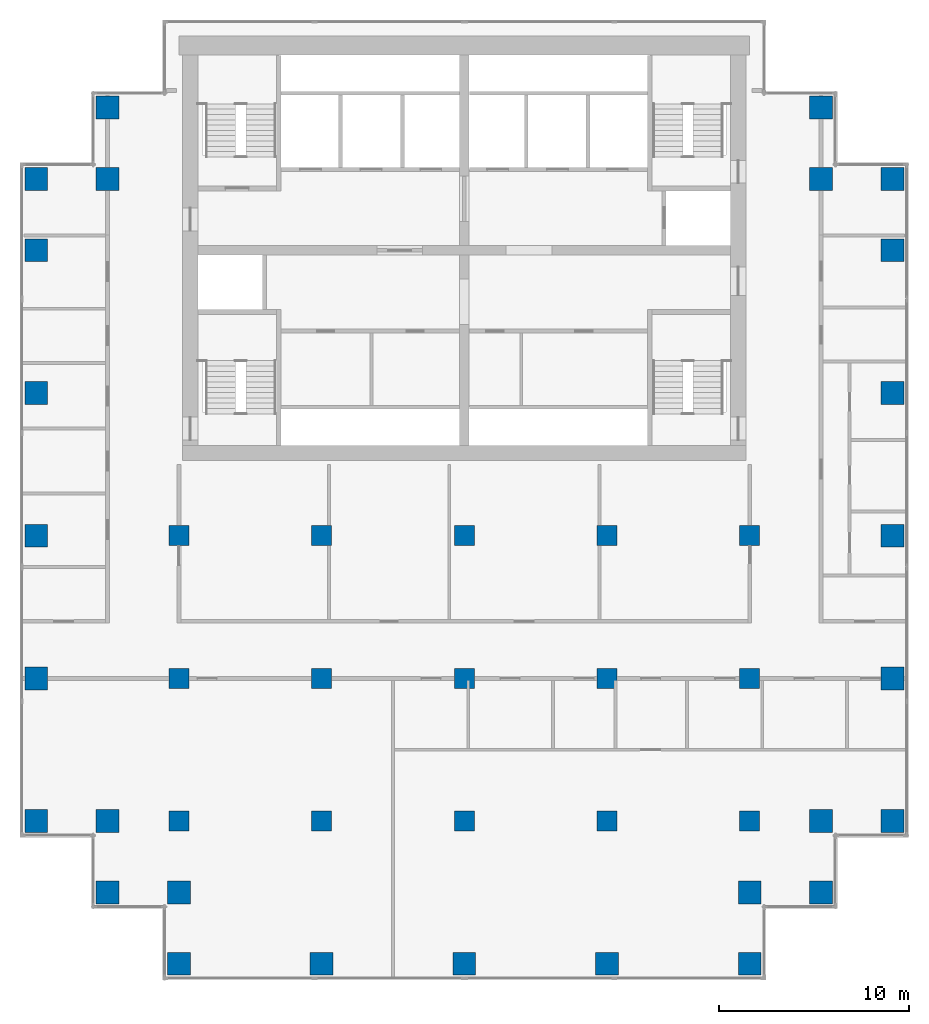
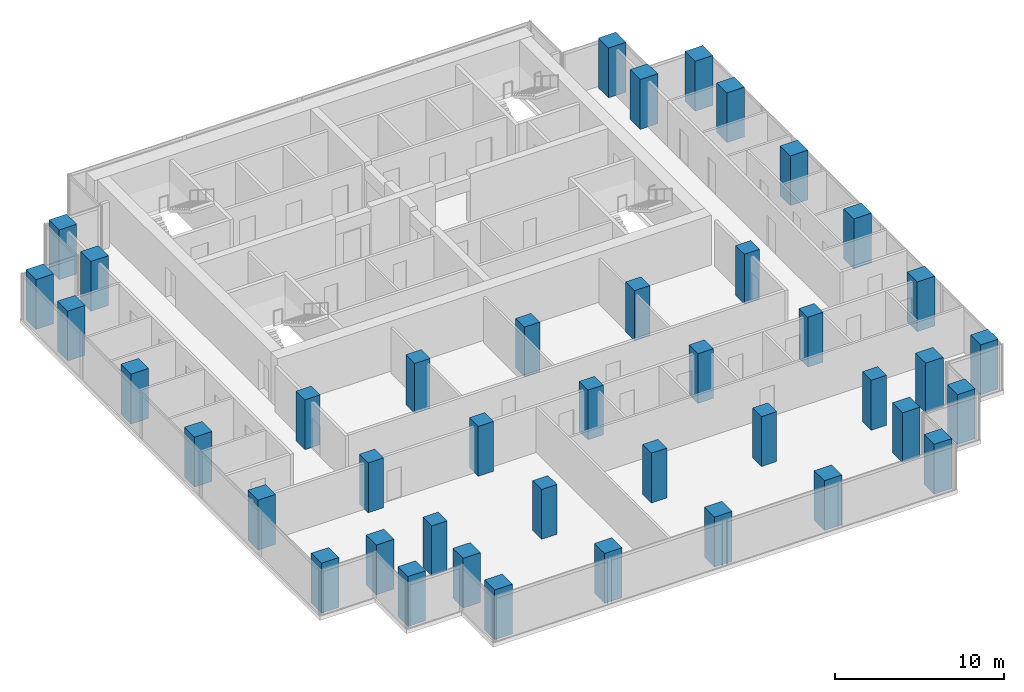
# One storey, part 1 of 10: 42 columns.
"""IFC4 building model written with IfcOpenShell, lengths in metres."""

import ifcopenshell
import ifcopenshell.guid

model = None  # the IFC model being written
_history = None  # IfcOwnerHistory: only IFC2X3 demands one
_inside = {}  # id of a spatial element -> (the spatial element, [elements in it])
_under = {}  # id of a project, library or spatial element -> (it, [spatial elements below it])
_declared = {}  # id of a project -> (the project, [libraries it declares])
_typed = {}  # id of a type object -> (the type object, [elements of that type])
_made_of = {}  # id of a material, layer set ... -> (it, [elements and type objects made of it])


def new_model(schema):
    """Start an empty IFC model of exactly this schema.

    Asked for "IFC4X3", IfcOpenShell would pick the latest addendum, in which some entities
    have other attributes; the version numbers below select the first issue.
    IFC2X3 requires an IfcOwnerHistory on every rooted entity: one is made here for all.
    """
    global model, _history
    if schema == "IFC4X3":
        model = ifcopenshell.file(schema_version=(4, 3, 0, 0))
    else:
        model = ifcopenshell.file(schema=schema)
    _inside.clear()
    _under.clear()
    _declared.clear()
    _typed.clear()
    _made_of.clear()
    _history = None
    if model.schema == "IFC2X3":
        org = make("IfcOrganization", Name="unknown")
        user = make(
            "IfcPersonAndOrganization",
            ThePerson=make("IfcPerson", FamilyName="unknown"),
            TheOrganization=org,
        )
        app = make(
            "IfcApplication",
            ApplicationDeveloper=org,
            Version="unknown",
            ApplicationFullName="unknown",
            ApplicationIdentifier="unknown",
        )
        _history = make(
            "IfcOwnerHistory",
            OwningUser=user,
            OwningApplication=app,
            ChangeAction="ADDED",
            CreationDate=0,
        )
    return model


def make(cls, **values):
    """One entity of the class cls with the attributes given. An attribute that is None is left unset."""
    return model.create_entity(
        cls, **{name: value for name, value in values.items() if value is not None}
    )


def rooted(cls, **values):
    """An entity with a GlobalId (a new one), such as an element, a storey or a relation."""
    return make(cls, GlobalId=ifcopenshell.guid.new(), OwnerHistory=_history, **values)


def si_unit(unit_type, name, prefix=None):
    """IfcSIUnit, for example si_unit("LENGTHUNIT", "METRE", prefix="MILLI")."""
    return make("IfcSIUnit", UnitType=unit_type, Prefix=prefix, Name=name)


def assignment(units):
    """IfcUnitAssignment: the units of a project."""
    return None if units is None else make("IfcUnitAssignment", Units=units)


def point(xyz):
    """IfcCartesianPoint."""
    return None if xyz is None else make("IfcCartesianPoint", Coordinates=xyz)


def direction(xyz):
    """IfcDirection."""
    return None if xyz is None else make("IfcDirection", DirectionRatios=xyz)


def frame(location, z_axis=None, x_axis=None):
    """IfcAxis2Placement3D, a coordinate frame: its origin and axes. An axis left out is left unset."""
    return make(
        "IfcAxis2Placement3D",
        Location=point(location),
        Axis=direction(z_axis),
        RefDirection=direction(x_axis),
    )


def frame_2d(location, x_axis=None):
    """IfcAxis2Placement2D, a coordinate frame in the plane: its origin and x axis."""
    return make(
        "IfcAxis2Placement2D", Location=point(location), RefDirection=direction(x_axis)
    )


def origin():
    """The frame at (0, 0, 0) with its axes left unset."""
    return frame((0.0, 0.0, 0.0))


def origin_2d():
    """The frame at (0, 0) in the plane with its x axis left unset."""
    return frame_2d((0.0, 0.0))


def place(relative_to, where):
    """IfcLocalPlacement: puts the frame where relative to a parent placement (None: the world)."""
    return make(
        "IfcLocalPlacement", PlacementRelTo=relative_to, RelativePlacement=where
    )


def context(
    kind, dimensions, precision=None, world=None, true_north=None, identifier=None
):
    """IfcGeometricRepresentationContext, for example the 3D "Model" context."""
    return make(
        "IfcGeometricRepresentationContext",
        ContextIdentifier=identifier,
        ContextType=kind,
        CoordinateSpaceDimension=dimensions,
        Precision=precision,
        WorldCoordinateSystem=world,
        TrueNorth=true_north,
    )


def subcontext(parent, identifier, kind, view, scale=None):
    """IfcGeometricRepresentationSubContext, for example "Body" below "Model"."""
    return make(
        "IfcGeometricRepresentationSubContext",
        ContextIdentifier=identifier,
        ContextType=kind,
        ParentContext=parent,
        TargetScale=scale,
        TargetView=view,
    )


def project(units=None, contexts=None):
    """IfcProject with its units and contexts."""
    return rooted(
        "IfcProject",
        Name="project",
        RepresentationContexts=contexts,
        UnitsInContext=assignment(units),
    )


def spatial(cls, under=None, at=None, **own):
    """A site, building, storey or space (cls), placed at a placement, below another one or the project."""
    s = rooted(cls, ObjectPlacement=at, **own)
    if under is not None:
        _under.setdefault(under.id(), (under, []))[1].append(s)
    return s


def profile(cls, at=None, kind="AREA", **sizes):
    """A parametric profile (cls). Its sizes go by their IFC names, for example OverallWidth=200.0."""
    return make(cls, ProfileType=kind, Position=at, **sizes)


def rectangle(**sizes):
    """IfcRectangleProfileDef."""
    return profile("IfcRectangleProfileDef", **sizes)


def extrude(swept, where, along, depth):
    """IfcExtrudedAreaSolid: the profile swept, set in the frame where, extruded along a direction by depth."""
    return make(
        "IfcExtrudedAreaSolid",
        SweptArea=swept,
        Position=where,
        ExtrudedDirection=direction(along),
        Depth=depth,
    )


def shape(context_of_items, identifier, shape_type, items):
    """IfcShapeRepresentation: the items that make up one representation, for example the "Body"."""
    return make(
        "IfcShapeRepresentation",
        ContextOfItems=context_of_items,
        RepresentationIdentifier=identifier,
        RepresentationType=shape_type,
        Items=items,
    )


def material(Name=None, Category=None):
    """IfcMaterial."""
    return make("IfcMaterial", Name=Name, Category=Category)


def material_profile(
    of_material, cross_section, Name=None, Category=None, Priority=None
):
    """IfcMaterialProfile: a cross section and its material."""
    return make(
        "IfcMaterialProfile",
        Name=Name,
        Material=of_material,
        Profile=cross_section,
        Priority=Priority,
        Category=Category,
    )


def profile_set(profiles, Name=None, composite=None):
    """IfcMaterialProfileSet."""
    return make(
        "IfcMaterialProfileSet",
        Name=Name,
        MaterialProfiles=profiles,
        CompositeProfile=composite,
    )


def made_of(thing, what):
    """Note that an element or type object is made of a material, layer set ...; save() writes the relation."""
    if what is not None:
        _made_of.setdefault(what.id(), (what, []))[1].append(thing)
    return thing


def type_object(cls, material=None, **own):
    """A type object (cls), such as IfcWallType, which elements share."""
    return made_of(rooted(cls, **own), material)


def element(
    cls,
    number,
    at=None,
    inside=None,
    cuts=None,
    type_object=None,
    material=None,
    context=None,
    identifier="Body",
    shape_type=None,
    held_by="IfcProductDefinitionShape",
    body=None,
    shapes=None,
    **own,
):
    """One element of the class cls, such as IfcWall. Its Tag is "e" and its number.

    at: its placement. inside: the storey or other place that contains it. cuts: it is an
    opening in that element (IfcRelVoidsElement). A single representation is given by context,
    identifier, shape_type and body (its items); several are given by shapes. held_by: the class
    of the entity that holds the representations. save() writes the other relations.
    """
    e = rooted(cls, Tag="e%d" % number, ObjectPlacement=at, **own)
    if body is not None:
        shapes = [shape(context, identifier, shape_type, body)]
    if shapes is not None:
        e.Representation = make(held_by, Representations=shapes)
    if inside is not None:
        _inside.setdefault(inside.id(), (inside, []))[1].append(e)
    if cuts is not None:
        rooted(
            "IfcRelVoidsElement", RelatingBuildingElement=cuts, RelatedOpeningElement=e
        )
    if type_object is not None:
        _typed.setdefault(type_object.id(), (type_object, []))[1].append(e)
    return made_of(e, material)


def aggregate(whole, parts):
    """IfcRelAggregates: a whole, such as a stair, and the parts it consists of."""
    return rooted("IfcRelAggregates", RelatingObject=whole, RelatedObjects=parts)


def save(model, path):
    """Write the relations noted so far, then the file.

    IfcRelAggregates (storeys below a building ...), IfcRelContainedInSpatialStructure (elements
    in a storey), IfcRelDefinesByType, IfcRelAssociatesMaterial and IfcRelDeclares: one each for
    every whole, place, type object, material and project.
    """
    for whole, parts in _under.values():
        aggregate(whole, parts)
    for where, things in _inside.values():
        rooted(
            "IfcRelContainedInSpatialStructure",
            RelatedElements=things,
            RelatingStructure=where,
        )
    for kind, things in _typed.values():
        rooted("IfcRelDefinesByType", RelatedObjects=things, RelatingType=kind)
    for what, things in _made_of.values():
        rooted("IfcRelAssociatesMaterial", RelatedObjects=things, RelatingMaterial=what)
    for by, libraries in _declared.values():
        rooted("IfcRelDeclares", RelatingContext=by, RelatedDefinitions=libraries)
    model.write(path)


model = new_model("IFC4")

# Units and contexts
model_context = context("Model", 3, precision=1e-05, world=origin(), true_north=direction((0.0, 1.0)))
body_context = subcontext(model_context, "Body", "Model", "MODEL_VIEW")
ifc_project = project(units=[si_unit("LENGTHUNIT", "METRE"), si_unit("AREAUNIT", "SQUARE_METRE"), si_unit("VOLUMEUNIT", "CUBIC_METRE"), si_unit("PLANEANGLEUNIT", "RADIAN"), si_unit("MASSUNIT", "GRAM", prefix="KILO")], contexts=[model_context])

# Site, building, storey
site_placement = place(None, origin())
site = spatial("IfcSite", under=ifc_project, at=site_placement, CompositionType="ELEMENT")
building_placement = place(site_placement, origin())
building = spatial("IfcBuilding", under=site, at=building_placement, Name="Pilkhan Gate Tower", CompositionType="ELEMENT")
storey_placement = place(building_placement, frame((0.0, 0.0, 165.699951171875)))
storey = spatial("IfcBuildingStorey", under=building, at=storey_placement, Name="L42", CompositionType="ELEMENT", Elevation=165.699951171875)

# Columns
ifc_material = material(Name="Concrete C60/75", Category="concrete")
ifc_material_profile_1 = material_profile(ifc_material, rectangle(XDim=1.050048828125, YDim=1.050048828125, at=origin_2d()), Name="RC 1050x1050")
ifc_profile_set_1 = profile_set([ifc_material_profile_1], Name="Concrete C60/75")
column_type_1 = type_object("IfcColumnType", Name="Column C105 RC 1050x1050 C60/75", PredefinedType="COLUMN", material=ifc_profile_set_1)
for number, where, z_axis, x_axis, name in (
    (1, (60.0, 52.5, 0.0), (0.0, 0.0, 1.0), (1.0, 0.0, 0.0), "Column 7/D L42"),
    (2, (60.0, 60.0, 0.0), (0.0, 0.0, 1.0), (1.0, 0.0, 0.0), "Column 7/F L42"),
    (3, (60.0, 67.5, 0.0), (0.0, 0.0, 1.0), (1.0, 0.0, 0.0), "Column 7/H L42"),
    (4, (67.5, 52.5, 0.0), (0.0, 0.0, 1.0), (1.0, 0.0, 0.0), "Column 9/D L42"),
    (5, (67.5, 60.0, 0.0), (0.0, 0.0, 1.0), (1.0, 0.0, 0.0), "Column 9/F L42"),
    (6, (67.5, 67.5, 0.0), (0.0, 0.0, 1.0), (1.0, 0.0, 0.0), "Column 9/H L42"),
    (7, (75.0, 52.5, 0.0), (0.0, 0.0, 1.0), (1.0, 0.0, 0.0), "Column 11/D L42"),
    (8, (75.0, 60.0, 0.0), (0.0, 0.0, 1.0), (1.0, 0.0, 0.0), "Column 11/F L42"),
    (9, (75.0, 67.5, 0.0), (0.0, 0.0, 1.0), (1.0, 0.0, 0.0), "Column 11/H L42"),
    (10, (82.5, 52.5, 0.0), (0.0, 0.0, 1.0), (1.0, 0.0, 0.0), "Column 13/D L42"),
    (11, (82.5, 60.0, 0.0), (0.0, 0.0, 1.0), (1.0, 0.0, 0.0), "Column 13/F L42"),
    (12, (82.5, 67.5, 0.0), (0.0, 0.0, 1.0), (1.0, 0.0, 0.0), "Column 13/H L42"),
    (13, (90.0, 52.5, 0.0), (0.0, 0.0, 1.0), (1.0, 0.0, 0.0), "Column 15/D L42"),
    (14, (90.0, 60.0, 0.0), (0.0, 0.0, 1.0), (1.0, 0.0, 0.0), "Column 15/F L42"),
    (15, (90.0, 67.5, 0.0), (0.0, 0.0, 1.0), (1.0, 0.0, 0.0), "Column 15/H L42"),
):
    element("IfcColumn", number, at=place(storey_placement, frame(where, z_axis=z_axis, x_axis=x_axis)), inside=storey, type_object=column_type_1, Name=name, PredefinedType="COLUMN", context=body_context, shape_type="SweptSolid", body=[
        extrude(rectangle(XDim=1.050048828125, YDim=1.050048828125, at=origin_2d()), origin(), (0.0, 0.0, 1.0), 3.60009765625),
    ])
ifc_material_profile_2 = material_profile(ifc_material, rectangle(XDim=1.199951171875, YDim=1.199951171875, at=origin_2d()), Name="RC 1200x1200")
ifc_profile_set_2 = profile_set([ifc_material_profile_2], Name="Concrete C60/75")
column_type_2 = type_object("IfcColumnType", Name="Column C120 RC 1200x1200 C60/75", PredefinedType="COLUMN", material=ifc_profile_set_2)
for number, where, z_axis, x_axis, name in (
    (16, (52.5, 52.5, 0.0), (0.0, 0.0, 1.0), (1.0, 0.0, 0.0), "Column 5/D L42"),
    (17, (52.5, 60.0, 0.0), (0.0, 0.0, 1.0), (1.0, 0.0, 0.0), "Column 5/F L42"),
    (18, (52.5, 67.5, 0.0), (0.0, 0.0, 1.0), (1.0, 0.0, 0.0), "Column 5/H L42"),
    (19, (52.5, 75.0, 0.0), (0.0, 0.0, 1.0), (1.0, 0.0, 0.0), "Column 5/K L42"),
    (20, (52.5, 82.5, 0.0), (0.0, 0.0, 1.0), (1.0, 0.0, 0.0), "Column 5/M L42"),
    (21, (52.5, 86.25, 0.0), (0.0, 0.0, 1.0), (1.0, 0.0, 0.0), "Column 5/N L42"),
    (22, (56.25, 48.75, 0.0), (0.0, 0.0, 1.0), (1.0, 0.0, 0.0), "Column 6/C L42"),
    (23, (56.25, 52.5, 0.0), (0.0, 0.0, 1.0), (1.0, 0.0, 0.0), "Column 6/D L42"),
    (24, (56.25, 86.25, 0.0), (0.0, 0.0, 1.0), (1.0, 0.0, 0.0), "Column 6/N L42"),
    (25, (56.25, 90.0, 0.0), (0.0, 0.0, 1.0), (1.0, 0.0, 0.0), "Column 6/P L42"),
    (26, (60.0, 45.0, 0.0), (0.0, 0.0, 1.0), (1.0, 0.0, 0.0), "Column 7/B L42"),
    (27, (60.0, 48.75, 0.0), (0.0, 0.0, 1.0), (1.0, 0.0, 0.0), "Column 7/C L42"),
    (28, (67.5, 45.0, 0.0), (0.0, 0.0, 1.0), (1.0, 0.0, 0.0), "Column 9/B L42"),
    (29, (75.0, 45.0, 0.0), (0.0, 0.0, 1.0), (1.0, 0.0, 0.0), "Column 11/B L42"),
    (30, (82.5, 45.0, 0.0), (0.0, 0.0, 1.0), (1.0, 0.0, 0.0), "Column 13/B L42"),
    (31, (90.0, 45.0, 0.0), (0.0, 0.0, 1.0), (1.0, 0.0, 0.0), "Column 15/B L42"),
    (32, (90.0, 48.75, 0.0), (0.0, 0.0, 1.0), (1.0, 0.0, 0.0), "Column 15/C L42"),
    (33, (93.75, 48.75, 0.0), (0.0, 0.0, 1.0), (1.0, 0.0, 0.0), "Column 16/C L42"),
    (34, (93.75, 52.5, 0.0), (0.0, 0.0, 1.0), (1.0, 0.0, 0.0), "Column 16/D L42"),
    (35, (93.75, 86.25, 0.0), (0.0, 0.0, 1.0), (1.0, 0.0, 0.0), "Column 16/N L42"),
    (36, (93.75, 90.0, 0.0), (0.0, 0.0, 1.0), (1.0, 0.0, 0.0), "Column 16/P L42"),
    (37, (97.5, 52.5, 0.0), (0.0, 0.0, 1.0), (1.0, 0.0, 0.0), "Column 17/D L42"),
    (38, (97.5, 60.0, 0.0), (0.0, 0.0, 1.0), (1.0, 0.0, 0.0), "Column 17/F L42"),
    (39, (97.5, 67.5, 0.0), (0.0, 0.0, 1.0), (1.0, 0.0, 0.0), "Column 17/H L42"),
    (40, (97.5, 75.0, 0.0), (0.0, 0.0, 1.0), (1.0, 0.0, 0.0), "Column 17/K L42"),
    (41, (97.5, 82.5, 0.0), (0.0, 0.0, 1.0), (1.0, 0.0, 0.0), "Column 17/M L42"),
    (42, (97.5, 86.25, 0.0), (0.0, 0.0, 1.0), (1.0, 0.0, 0.0), "Column 17/N L42"),
):
    element("IfcColumn", number, at=place(storey_placement, frame(where, z_axis=z_axis, x_axis=x_axis)), inside=storey, type_object=column_type_2, Name=name, PredefinedType="COLUMN", context=body_context, shape_type="SweptSolid", body=[
        extrude(rectangle(XDim=1.199951171875, YDim=1.199951171875, at=origin_2d()), origin(), (0.0, 0.0, 1.0), 3.60009765625),
    ])

save(model, "model.ifc")
